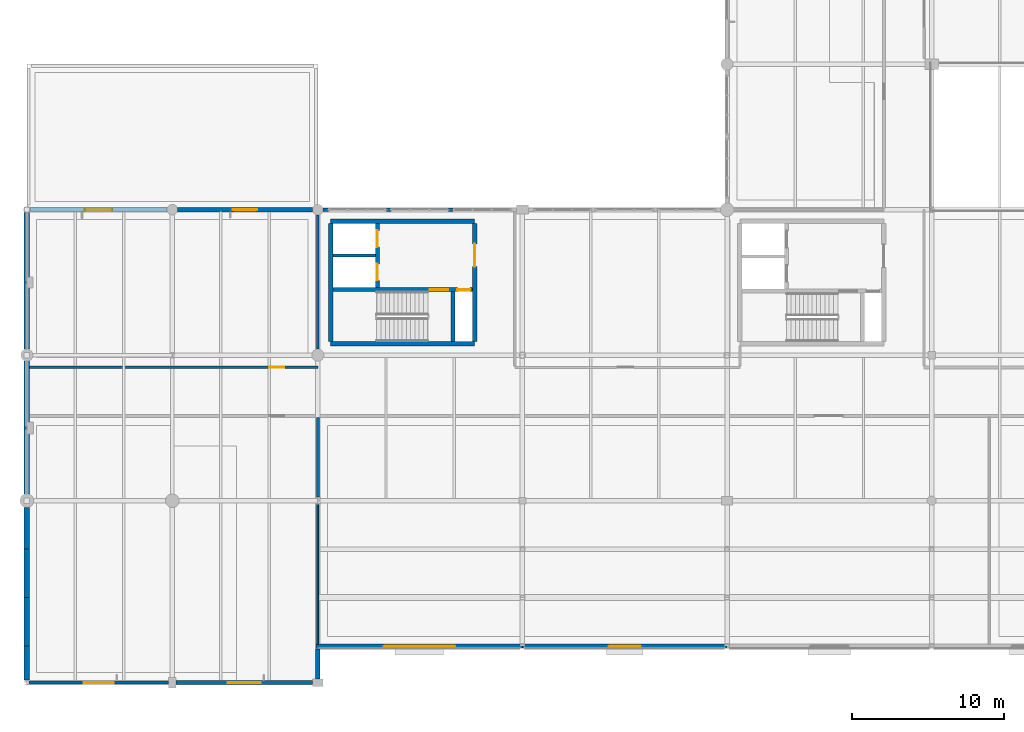
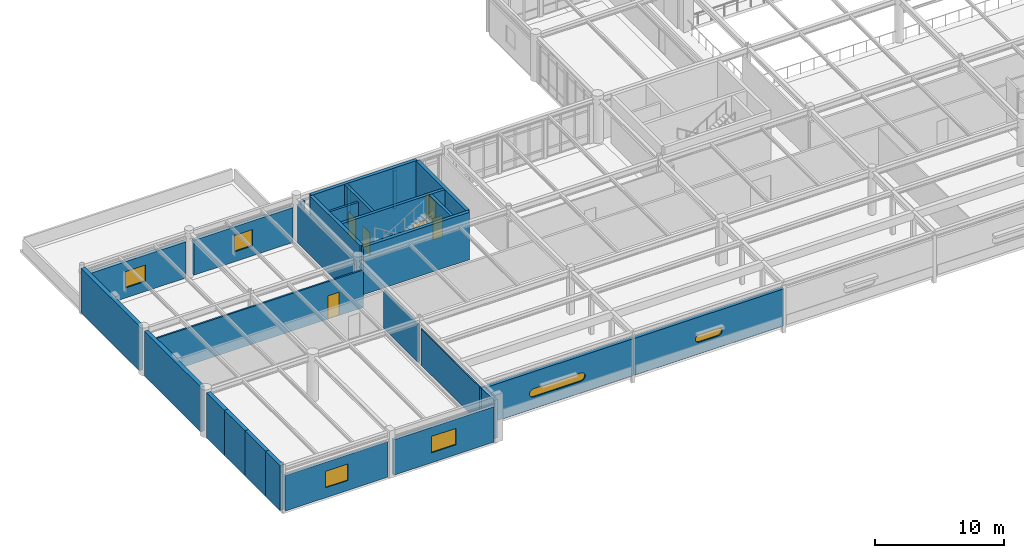
# One storey, part 46 of 61: 28 walls, 6 doors, 6 windows, 12 openings.
"""IFC4 building model written with IfcOpenShell, lengths in metres."""

from ifc_helpers import new_model, si_unit, direction, frame, frame_2d, origin, place, context, subcontext, project, spatial, polyline, rectangle, outline, extrude, material, layer, layer_set, type_object, element, fill, save


model = new_model("IFC4")

# Units and contexts
model_context = context("Model", 3, precision=1e-05, world=origin(), true_north=direction((0.0, 1.0)))
body_context = subcontext(model_context, "Body", "Model", "MODEL_VIEW")
ifc_project = project(units=[si_unit("LENGTHUNIT", "METRE"), si_unit("AREAUNIT", "SQUARE_METRE"), si_unit("VOLUMEUNIT", "CUBIC_METRE"), si_unit("PLANEANGLEUNIT", "RADIAN"), si_unit("MASSUNIT", "GRAM", prefix="KILO")], contexts=[model_context])

# Site, building, storey
site_placement = place(None, origin())
site = spatial("IfcSite", under=ifc_project, at=site_placement, CompositionType="ELEMENT")
building_placement = place(site_placement, origin())
building = spatial("IfcBuilding", under=site, at=building_placement, Name="Fikremerkos Civic Library", CompositionType="ELEMENT")
storey_placement = place(building_placement, frame((0.0, 0.0, 14.39990234375)))
storey = spatial("IfcBuildingStorey", under=building, at=storey_placement, Name="L03", CompositionType="ELEMENT", Elevation=14.39990234375)

# Walls
ifc_material_1 = material(Name="Concrete C40/50", Category="concrete")
ifc_layer_1 = layer(ifc_material_1, 0.300048828125, Name="Concrete C40/50")
ifc_layer_set_1 = layer_set([ifc_layer_1], Name="Concrete C40/50")
wall_type_1 = type_object("IfcWallType", Name="Core shear wall CSW-01 300", PredefinedType="SHEAR", material=ifc_layer_set_1)
for number, where, z_axis, x_axis, name in (
    (1, (29.550048828125, 22.35009765625, 0.0), (0.0, 0.0, 1.0), (-1.0, 0.0, 0.0), "Core K1 south shear wall L03"),
    (2, (20.050048828125, 30.449951171875, 0.0), (0.0, 0.0, 1.0), (1.0, 0.0, 0.0), "Core K1 north shear wall L03"),
):
    element("IfcWall", number, at=place(storey_placement, frame(where, z_axis=z_axis, x_axis=x_axis)), inside=storey, type_object=wall_type_1, Name=name, PredefinedType="SHEAR", context=body_context, shape_type="SweptSolid", body=[
        extrude(rectangle(XDim=9.5, YDim=0.300048828125, at=frame_2d((4.75, 0.0))), origin(), (0.0, 0.0, 1.0), 4.5),
    ])
wall_1_placement = place(storey_placement, frame((20.050048828125, 22.501953125, 0.0), z_axis=(0.0, 0.0, 1.0), x_axis=(0.0, 1.0, 0.0)))
element("IfcWall", 3, at=wall_1_placement, inside=storey, type_object=wall_type_1, Name="Core K1 west shear wall L03", PredefinedType="SHEAR", context=body_context, shape_type="SweptSolid", body=[
    extrude(rectangle(XDim=7.796142578125, YDim=0.300048828125, at=frame_2d((3.89794921875, 0.0))), origin(), (0.0, 0.0, 1.0), 4.5),
])

# Wall, opening, door
wall_2_placement = place(storey_placement, frame((29.550048828125, 30.298095703125, 0.0), z_axis=(0.0, 0.0, 1.0), x_axis=(0.0, -1.0, 0.0)))
wall_2 = element("IfcWall", 4, at=wall_2_placement, inside=storey, type_object=wall_type_1, Name="Core K1 east shear wall L03", PredefinedType="SHEAR", context=body_context, shape_type="SweptSolid", body=[
    extrude(rectangle(XDim=7.796142578125, YDim=0.300048828125, at=frame_2d((3.89794921875, 0.0))), origin(), (0.0, 0.0, 1.0), 4.5),
])
opening_1_placement = place(wall_2_placement, frame((1.347900390625, 0.0, 0.0)))
opening_1 = element("IfcOpeningElement", 5, at=opening_1_placement, cuts=wall_2, Name="Opening D044", PredefinedType="OPENING", context=body_context, shape_type="SweptSolid", body=[
    extrude(rectangle(XDim=1.5, YDim=2.25, at=frame_2d((0.75, 1.125))), frame((0.0, 0.159912109375, 0.0), z_axis=(0.0, -1.0, 0.0), x_axis=(1.0, 0.0, 0.0)), (0.0, 0.0, 1.0), 0.320068359375),
])
ifc_material_2 = material(Name="Hardwood timber and acoustic glass", Category="wood")
door_type_1 = type_object("IfcDoorType", Name="Pedestrian door DT-05 1500x2250", OperationType="NOTDEFINED", PredefinedType="DOOR", material=ifc_material_2)
door_1_placement = place(opening_1_placement, origin())
door_1 = element("IfcDoor", 6, at=door_1_placement, inside=storey, type_object=door_type_1, Name="Core K1 lobby fire door D044 L03", OperationType="SINGLE_SWING_LEFT", OverallHeight=2.25, OverallWidth=1.5, PredefinedType="DOOR", context=body_context, shape_type="SweptSolid", body=[
    extrude(rectangle(XDim=1.5, YDim=2.25, at=frame_2d((0.75, 1.125))), frame((0.0, 0.032470703125, 0.0), z_axis=(0.0, -1.0, 0.0), x_axis=(1.0, 0.0, 0.0)), (0.0, 0.0, 1.0), 0.06494140625),
])
fill(opening_1, door_1)

# Wall, openings, doors
ifc_layer_2 = layer(ifc_material_1, 0.260009765625, Name="Concrete C40/50")
ifc_layer_set_2 = layer_set([ifc_layer_2], Name="Concrete C40/50")
wall_type_2 = type_object("IfcWallType", Name="Core shear wall CSW-02 260", PredefinedType="SHEAR", material=ifc_layer_set_2)
wall_3_placement = place(storey_placement, frame((20.201904296875, 25.929931640625, 0.0), z_axis=(0.0, 0.0, 1.0), x_axis=(1.0, 0.0, 0.0)))
wall_3 = element("IfcWall", 7, at=wall_3_placement, inside=storey, type_object=wall_type_2, Name="Core K1 stair compartment wall L03", PredefinedType="SHEAR", context=body_context, shape_type="SweptSolid", body=[
    extrude(rectangle(XDim=9.196044921875, YDim=0.260009765625, at=frame_2d((4.59814453125, 0.0))), origin(), (0.0, 0.0, 1.0), 4.5),
])
opening_2_placement = place(wall_3_placement, frame((6.39794921875, 0.0, 0.0)))
opening_2 = element("IfcOpeningElement", 8, at=opening_2_placement, cuts=wall_3, Name="Opening D045", PredefinedType="OPENING", context=body_context, shape_type="SweptSolid", body=[
    extrude(rectangle(XDim=1.199951171875, YDim=2.199951171875, at=frame_2d((0.60009765625, 1.10009765625))), frame((0.0, 0.139892578125, 0.0), z_axis=(0.0, -1.0, 0.0), x_axis=(1.0, 0.0, 0.0)), (0.0, 0.0, 1.0), 0.280029296875),
])
opening_3_placement = place(wall_3_placement, frame((8.202880859375, 0.0, 0.0)))
opening_3 = element("IfcOpeningElement", 9, at=opening_3_placement, cuts=wall_3, Name="Opening D046", PredefinedType="OPENING", context=body_context, shape_type="SweptSolid", body=[
    extrude(rectangle(XDim=0.85009765625, YDim=2.050048828125, at=frame_2d((0.425048828125, 1.02490234375))), frame((0.0, 0.139892578125, 0.0), z_axis=(0.0, -1.0, 0.0), x_axis=(1.0, 0.0, 0.0)), (0.0, 0.0, 1.0), 0.280029296875),
])
door_type_2 = type_object("IfcDoorType", Name="Pedestrian door DT-06 1200x2200", OperationType="NOTDEFINED", PredefinedType="DOOR", material=ifc_material_2)
door_2_placement = place(opening_2_placement, origin())
door_2 = element("IfcDoor", 10, at=door_2_placement, inside=storey, type_object=door_type_2, Name="Core K1 stair fire door D045 L03", OperationType="SINGLE_SWING_LEFT", OverallHeight=2.199951171875, OverallWidth=1.199951171875, PredefinedType="DOOR", context=body_context, shape_type="SweptSolid", body=[
    extrude(rectangle(XDim=1.199951171875, YDim=2.199951171875, at=frame_2d((0.60009765625, 1.10009765625))), frame((0.0, 0.032470703125, 0.0), z_axis=(0.0, -1.0, 0.0), x_axis=(1.0, 0.0, 0.0)), (0.0, 0.0, 1.0), 0.06494140625),
])
fill(opening_2, door_2)
door_type_3 = type_object("IfcDoorType", Name="Pedestrian door DT-08 850x2050", OperationType="NOTDEFINED", PredefinedType="DOOR", material=ifc_material_2)
door_3_placement = place(opening_3_placement, origin())
door_3 = element("IfcDoor", 11, at=door_3_placement, inside=storey, type_object=door_type_3, Name="Core K1 riser access fire door D046 L03", OperationType="SINGLE_SWING_LEFT", OverallHeight=2.050048828125, OverallWidth=0.85009765625, PredefinedType="DOOR", context=body_context, shape_type="SweptSolid", body=[
    extrude(rectangle(XDim=0.85009765625, YDim=2.050048828125, at=frame_2d((0.425048828125, 1.02490234375))), frame((0.0, 0.032470703125, 0.0), z_axis=(0.0, -1.0, 0.0), x_axis=(1.0, 0.0, 0.0)), (0.0, 0.0, 1.0), 0.06494140625),
])
fill(opening_3, door_3)

# Wall
wall_4_placement = place(storey_placement, frame((28.1298828125, 22.501953125, 0.0), z_axis=(0.0, 0.0, 1.0), x_axis=(0.0, 1.0, 0.0)))
element("IfcWall", 12, at=wall_4_placement, inside=storey, type_object=wall_type_2, Name="Core K1 stair-riser shear wall L03", PredefinedType="SHEAR", context=body_context, shape_type="SweptSolid", body=[
    extrude(rectangle(XDim=3.296142578125, YDim=0.260009765625, at=frame_2d((1.64794921875, 0.0))), origin(), (0.0, 0.0, 1.0), 4.5),
])

# Wall, openings, doors
wall_5_placement = place(storey_placement, frame((23.1298828125, 26.06201171875, 0.0), z_axis=(0.0, 0.0, 1.0), x_axis=(0.0, 1.0, 0.0)))
wall_5 = element("IfcWall", 13, at=wall_5_placement, inside=storey, type_object=wall_type_2, Name="Core K1 lift shaft front wall L03", PredefinedType="SHEAR", context=body_context, shape_type="SweptSolid", body=[
    extrude(rectangle(XDim=4.236083984375, YDim=0.260009765625, at=frame_2d((2.1181640625, 0.0))), origin(), (0.0, 0.0, 1.0), 4.5),
])
opening_4_placement = place(wall_5_placement, frame((0.468017578125, 0.0, 0.0)))
opening_4 = element("IfcOpeningElement", 14, at=opening_4_placement, cuts=wall_5, Name="Opening LD11", PredefinedType="OPENING", context=body_context, shape_type="SweptSolid", body=[
    extrude(rectangle(XDim=1.10009765625, YDim=2.14990234375, at=frame_2d((0.550048828125, 1.074951171875))), frame((0.0, 0.139892578125, 0.0), z_axis=(0.0, -1.0, 0.0), x_axis=(1.0, 0.0, 0.0)), (0.0, 0.0, 1.0), 0.280029296875),
])
opening_5_placement = place(wall_5_placement, frame((2.66796875, 0.0, 0.0)))
opening_5 = element("IfcOpeningElement", 15, at=opening_5_placement, cuts=wall_5, Name="Opening LD12", PredefinedType="OPENING", context=body_context, shape_type="SweptSolid", body=[
    extrude(rectangle(XDim=1.10009765625, YDim=2.14990234375, at=frame_2d((0.550048828125, 1.074951171875))), frame((0.0, 0.139892578125, 0.0), z_axis=(0.0, -1.0, 0.0), x_axis=(1.0, 0.0, 0.0)), (0.0, 0.0, 1.0), 0.280029296875),
])
ifc_material_3 = material(Name="Brushed stainless steel", Category="steel")
door_type_4 = type_object("IfcDoorType", Name="Lift landing door LDT-01 1100x2150", OperationType="NOTDEFINED", PredefinedType="DOOR", material=ifc_material_3)
door_4_placement = place(opening_4_placement, origin())
door_4 = element("IfcDoor", 16, at=door_4_placement, inside=storey, type_object=door_type_4, Name="Lift LF01 sliding landing door LD11 L03", OperationType="SLIDING_TO_LEFT", OverallHeight=2.14990234375, OverallWidth=1.10009765625, PredefinedType="DOOR", context=body_context, shape_type="SweptSolid", body=[
    extrude(rectangle(XDim=1.10009765625, YDim=2.14990234375, at=frame_2d((0.550048828125, 1.074951171875))), frame((0.0, 0.032470703125, 0.0), z_axis=(0.0, -1.0, 0.0), x_axis=(1.0, 0.0, 0.0)), (0.0, 0.0, 1.0), 0.06494140625),
])
fill(opening_4, door_4)
door_5_placement = place(opening_5_placement, origin())
door_5 = element("IfcDoor", 17, at=door_5_placement, inside=storey, type_object=door_type_4, Name="Lift LF02 sliding landing door LD12 L03", OperationType="SLIDING_TO_LEFT", OverallHeight=2.14990234375, OverallWidth=1.10009765625, PredefinedType="DOOR", context=body_context, shape_type="SweptSolid", body=[
    extrude(rectangle(XDim=1.10009765625, YDim=2.14990234375, at=frame_2d((0.550048828125, 1.074951171875))), frame((0.0, 0.032470703125, 0.0), z_axis=(0.0, -1.0, 0.0), x_axis=(1.0, 0.0, 0.0)), (0.0, 0.0, 1.0), 0.06494140625),
])
fill(opening_5, door_5)

# Walls
ifc_layer_3 = layer(ifc_material_1, 0.35009765625, Name="Concrete C40/50")
ifc_layer_set_3 = layer_set([ifc_layer_3], Name="Concrete C40/50")
wall_type_3 = type_object("IfcWallType", Name="Exterior solid wall ESW-01 350", PredefinedType="SOLIDWALL", material=ifc_layer_set_3)
wall_6_placement = place(storey_placement, frame((0.0, 0.157958984375, 0.0), z_axis=(0.0, 0.0, 1.0), x_axis=(0.0, 1.0, 0.0)))
element("IfcWall", 18, at=wall_6_placement, inside=storey, type_object=wall_type_3, Name="Party boundary wall ESW-01 L03 #546", PredefinedType="SOLIDWALL", context=body_context, shape_type="SweptSolid", body=[
    extrude(rectangle(XDim=2.239990234375, YDim=0.35009765625, at=frame_2d((1.1201171875, 0.0))), origin(), (0.0, 0.0, 1.0), 4.260009765625),
])
wall_7_placement = place(storey_placement, frame((0.0, 2.402099609375, 0.0), z_axis=(0.0, 0.0, 1.0), x_axis=(0.0, 1.0, 0.0)))
element("IfcWall", 19, at=wall_7_placement, inside=storey, type_object=wall_type_3, Name="Party boundary wall ESW-01 L03 #547", PredefinedType="SOLIDWALL", context=body_context, shape_type="SweptSolid", body=[
    extrude(rectangle(XDim=3.19580078125, YDim=0.35009765625, at=frame_2d((1.597900390625, 0.0))), origin(), (0.0, 0.0, 1.0), 4.260009765625),
])
wall_8_placement = place(storey_placement, frame((0.0, 5.60205078125, 0.0), z_axis=(0.0, 0.0, 1.0), x_axis=(0.0, 1.0, 0.0)))
element("IfcWall", 20, at=wall_8_placement, inside=storey, type_object=wall_type_3, Name="Party boundary wall ESW-01 L03 #548", PredefinedType="SOLIDWALL", context=body_context, shape_type="SweptSolid", body=[
    extrude(rectangle(XDim=3.196044921875, YDim=0.35009765625, at=frame_2d((1.59814453125, 0.0))), origin(), (0.0, 0.0, 1.0), 4.260009765625),
])
wall_9_placement = place(storey_placement, frame((0.0, 8.802001953125, 0.0), z_axis=(0.0, 0.0, 1.0), x_axis=(0.0, 1.0, 0.0)))
element("IfcWall", 21, at=wall_9_placement, inside=storey, type_object=wall_type_3, Name="Party boundary wall ESW-01 L03 #549", PredefinedType="SOLIDWALL", context=body_context, shape_type="SweptSolid", body=[
    extrude(rectangle(XDim=2.75, YDim=0.35009765625, at=frame_2d((1.375, 0.0))), origin(), (0.0, 0.0, 1.0), 4.260009765625),
])
wall_10_placement = place(storey_placement, frame((0.0, 12.447998046875, 0.0), z_axis=(0.0, 0.0, 1.0), x_axis=(0.0, 1.0, 0.0)))
element("IfcWall", 22, at=wall_10_placement, inside=storey, type_object=wall_type_3, Name="Party boundary wall ESW-01 L03 #550", PredefinedType="SOLIDWALL", context=body_context, shape_type="SweptSolid", body=[
    extrude(rectangle(XDim=8.75390625, YDim=0.35009765625, at=frame_2d((4.376953125, 0.0))), origin(), (0.0, 0.0, 1.0), 4.239990234375),
])
wall_11_placement = place(storey_placement, frame((0.0, 21.998046875, 0.0), z_axis=(0.0, 0.0, 1.0), x_axis=(0.0, 1.0, 0.0)))
element("IfcWall", 23, at=wall_11_placement, inside=storey, type_object=wall_type_3, Name="Party boundary wall ESW-01 L03 #551", PredefinedType="SOLIDWALL", context=body_context, shape_type="SweptSolid", body=[
    extrude(rectangle(XDim=9.000732421875, YDim=0.35009765625, at=frame_2d((4.50048828125, 0.0))), origin(), (0.0, 0.0, 1.0), 4.239990234375),
])

# Wall, opening, window
ifc_material_4 = material(Name="Precast concrete C40/50", Category="concrete")
ifc_layer_4 = layer(ifc_material_4, 0.300048828125, Name="Precast concrete C40/50")
ifc_layer_set_4 = layer_set([ifc_layer_4], Name="Precast concrete C40/50")
wall_type_4 = type_object("IfcWallType", Name="Exterior solid wall ESW-03 300", PredefinedType="SOLIDWALL", material=ifc_layer_set_4)
wall_12_placement = place(storey_placement, frame((0.201171875, 31.199951171875, 0.0), z_axis=(0.0, 0.0, 1.0), x_axis=(1.0, 0.0, 0.0)))
wall_12 = element("IfcWall", 24, at=wall_12_placement, inside=storey, type_object=wall_type_4, Name="Exterior solid wall ESW-03 L03 #552", PredefinedType="SOLIDWALL", context=body_context, shape_type="SweptSolid", body=[
    extrude(rectangle(XDim=9.05078125, YDim=0.300048828125, at=frame_2d((4.525390625, 0.0))), origin(), (0.0, 0.0, 1.0), 3.440185546875),
])
opening_6_placement = place(wall_12_placement, frame((3.62548828125, 0.0, 0.949951171875)))
opening_6 = element("IfcOpeningElement", 25, at=opening_6_placement, cuts=wall_12, Name="Opening CWND-04", PredefinedType="OPENING", context=body_context, shape_type="SweptSolid", body=[
    extrude(rectangle(XDim=1.800048828125, YDim=1.550048828125, at=frame_2d((0.89990234375, 0.77490234375))), frame((0.0, 0.159912109375, 0.0), z_axis=(0.0, -1.0, 0.0), x_axis=(1.0, 0.0, 0.0)), (0.0, 0.0, 1.0), 0.320068359375),
])
ifc_material_5 = material(Name="Solar control double glazing", Category="glass")
window_type_1 = type_object("IfcWindowType", Name="Courtyard window CWND-04 1800x1550", PartitioningType="SINGLE_PANEL", PredefinedType="WINDOW", material=ifc_material_5)
window_1_placement = place(opening_6_placement, origin())
window_1 = element("IfcWindow", 26, at=window_1_placement, inside=storey, type_object=window_type_1, Name="Courtyard window CWND-04 L03 #36", OverallHeight=1.550048828125, OverallWidth=1.800048828125, PartitioningType="SINGLE_PANEL", PredefinedType="WINDOW", context=body_context, shape_type="SweptSolid", body=[
    extrude(rectangle(XDim=1.800048828125, YDim=1.550048828125, at=frame_2d((0.89990234375, 0.77490234375))), frame((0.0, 0.032470703125, 0.0), z_axis=(0.0, -1.0, 0.0), x_axis=(1.0, 0.0, 0.0)), (0.0, 0.0, 1.0), 0.06494140625),
])
fill(opening_6, window_1)

# Wall
wall_13_placement = place(storey_placement, frame((19.199951171875, 2.219970703125, 0.0), z_axis=(0.0, 0.0, 1.0), x_axis=(0.0, -1.0, 0.0)))
element("IfcWall", 27, at=wall_13_placement, inside=storey, type_object=wall_type_4, Name="Exterior solid wall ESW-03 L03 #602", PredefinedType="SOLIDWALL", context=body_context, shape_type="SweptSolid", body=[
    extrude(rectangle(XDim=1.971923828125, YDim=0.300048828125, at=frame_2d((0.98583984375, 0.0))), origin(), (0.0, 0.0, 1.0), 3.650146484375),
])

# Wall, opening, window
ifc_layer_5 = layer(ifc_material_4, 0.280029296875, Name="Precast concrete C40/50")
ifc_layer_set_5 = layer_set([ifc_layer_5], Name="Precast concrete C40/50")
wall_type_5 = type_object("IfcWallType", Name="Exterior solid wall ESW-04 280", PredefinedType="SOLIDWALL", material=ifc_layer_set_5)
wall_14_placement = place(storey_placement, frame((9.947998046875, 31.199951171875, 0.0), z_axis=(0.0, 0.0, 1.0), x_axis=(1.0, 0.0, 0.0)))
wall_14 = element("IfcWall", 28, at=wall_14_placement, inside=storey, type_object=wall_type_5, Name="Exterior solid wall ESW-04 L03 #553", PredefinedType="SOLIDWALL", context=body_context, shape_type="SweptSolid", body=[
    extrude(rectangle(XDim=8.904052734375, YDim=0.280029296875, at=frame_2d((4.4521484375, 0.0))), origin(), (0.0, 0.0, 1.0), 3.31005859375),
])
opening_7_placement = place(wall_14_placement, frame((3.652099609375, 0.0, 0.949951171875)))
opening_7 = element("IfcOpeningElement", 29, at=opening_7_placement, cuts=wall_14, Name="Opening CWND-05", PredefinedType="OPENING", context=body_context, shape_type="SweptSolid", body=[
    extrude(rectangle(XDim=1.60009765625, YDim=1.550048828125, at=frame_2d((0.800048828125, 0.77490234375))), frame((0.0, 0.14990234375, 0.0), z_axis=(0.0, -1.0, 0.0), x_axis=(1.0, 0.0, 0.0)), (0.0, 0.0, 1.0), 0.300048828125),
])
window_type_2 = type_object("IfcWindowType", Name="Courtyard window CWND-05 1600x1550", PartitioningType="SINGLE_PANEL", PredefinedType="WINDOW", material=ifc_material_5)
window_2_placement = place(opening_7_placement, origin())
window_2 = element("IfcWindow", 30, at=window_2_placement, inside=storey, type_object=window_type_2, Name="Courtyard window CWND-05 L03 #37", OverallHeight=1.550048828125, OverallWidth=1.60009765625, PartitioningType="SINGLE_PANEL", PredefinedType="WINDOW", context=body_context, shape_type="SweptSolid", body=[
    extrude(rectangle(XDim=1.60009765625, YDim=1.550048828125, at=frame_2d((0.800048828125, 0.77490234375))), frame((0.0, 0.032470703125, 0.0), z_axis=(0.0, -1.0, 0.0), x_axis=(1.0, 0.0, 0.0)), (0.0, 0.0, 1.0), 0.06494140625),
])
fill(opening_7, window_2)

wall_15_placement = place(storey_placement, frame((46.197998046875, 2.39990234375, 0.0), z_axis=(0.0, 0.0, 1.0), x_axis=(-1.0, 0.0, 0.0)))
wall_15 = element("IfcWall", 31, at=wall_15_placement, inside=storey, type_object=wall_type_5, Name="Cantilever concrete band wall ESW-04 L03 #600", PredefinedType="SOLIDWALL", context=body_context, shape_type="SweptSolid", body=[
    extrude(rectangle(XDim=13.49609375, YDim=0.280029296875, at=frame_2d((6.748046875, 0.0))), origin(), (0.0, 0.0, 1.0), 3.5),
])
opening_8_placement = place(wall_15_placement, frame((5.548095703125, 0.0, 1.10009765625)))
opening_8 = element("IfcOpeningElement", 32, at=opening_8_placement, cuts=wall_15, Name="Opening SW-08", PredefinedType="OPENING", context=body_context, shape_type="SweptSolid", body=[
    extrude(outline(polyline([(0.375, 0.75), (0.246826171875, 0.727294921875), (0.134033203125, 0.662353515625), (0.05029296875, 0.5625), (0.005615234375, 0.440185546875), (0.005615234375, 0.309814453125), (0.05029296875, 0.1875), (0.134033203125, 0.087646484375), (0.246826171875, 0.022705078125), (0.375, 0.0), (2.02490234375, 0.0), (2.153076171875, 0.022705078125), (2.265869140625, 0.087646484375), (2.349609375, 0.1875), (2.394287109375, 0.309814453125), (2.394287109375, 0.440185546875), (2.349609375, 0.5625), (2.265869140625, 0.662353515625), (2.153076171875, 0.727294921875), (2.02490234375, 0.75), (0.375, 0.75)])), frame((0.0, 0.14990234375, 0.0), z_axis=(0.0, -1.0, 0.0), x_axis=(1.0, 0.0, 0.0)), (0.0, 0.0, 1.0), 0.300048828125),
])
window_type_3 = type_object("IfcWindowType", Name="Facade slot window SW-08 2400x750", PartitioningType="SINGLE_PANEL", PredefinedType="WINDOW", material=ifc_material_5)
window_3_placement = place(opening_8_placement, origin())
window_3 = element("IfcWindow", 33, at=window_3_placement, inside=storey, type_object=window_type_3, Name="Rounded-end facade slot window SW-08 L03 #20", OverallHeight=0.75, OverallWidth=2.39990234375, PartitioningType="SINGLE_PANEL", PredefinedType="WINDOW", context=body_context, shape_type="SweptSolid", body=[
    extrude(outline(polyline([(0.375, 0.75), (0.246826171875, 0.727294921875), (0.134033203125, 0.662353515625), (0.05029296875, 0.5625), (0.005615234375, 0.440185546875), (0.005615234375, 0.309814453125), (0.05029296875, 0.1875), (0.134033203125, 0.087646484375), (0.246826171875, 0.022705078125), (0.375, 0.0), (2.02490234375, 0.0), (2.153076171875, 0.022705078125), (2.265869140625, 0.087646484375), (2.349609375, 0.1875), (2.394287109375, 0.309814453125), (2.394287109375, 0.440185546875), (2.349609375, 0.5625), (2.265869140625, 0.662353515625), (2.153076171875, 0.727294921875), (2.02490234375, 0.75), (0.375, 0.75)])), frame((0.0, 0.032470703125, 0.0), z_axis=(0.0, -1.0, 0.0), x_axis=(1.0, 0.0, 0.0)), (0.0, 0.0, 1.0), 0.06494140625),
])
fill(opening_8, window_3)

wall_16_placement = place(storey_placement, frame((32.697998046875, 2.39990234375, 0.0), z_axis=(0.0, 0.0, 1.0), x_axis=(-1.0, 0.0, 0.0)))
wall_16 = element("IfcWall", 34, at=wall_16_placement, inside=storey, type_object=wall_type_5, Name="Cantilever concrete band wall ESW-04 L03 #601", PredefinedType="SOLIDWALL", context=body_context, shape_type="SweptSolid", body=[
    extrude(rectangle(XDim=13.60791015625, YDim=0.280029296875, at=frame_2d((6.803955078125, 0.0))), origin(), (0.0, 0.0, 1.0), 3.5),
])
opening_9_placement = place(wall_16_placement, frame((4.303955078125, 0.0, 1.10009765625)))
opening_9 = element("IfcOpeningElement", 35, at=opening_9_placement, cuts=wall_16, Name="Opening SW-09", PredefinedType="OPENING", context=body_context, shape_type="SweptSolid", body=[
    extrude(outline(polyline([(0.39990234375, 0.800048828125), (0.26318359375, 0.77587890625), (0.142822265625, 0.70654296875), (0.0537109375, 0.60009765625), (0.006103515625, 0.469482421875), (0.006103515625, 0.33056640625), (0.0537109375, 0.199951171875), (0.142822265625, 0.093505859375), (0.26318359375, 0.024169921875), (0.39990234375, 0.0), (4.60009765625, 0.0), (4.73681640625, 0.024169921875), (4.857177734375, 0.093505859375), (4.9462890625, 0.199951171875), (4.993896484375, 0.33056640625), (4.993896484375, 0.469482421875), (4.9462890625, 0.60009765625), (4.857177734375, 0.70654296875), (4.73681640625, 0.77587890625), (4.60009765625, 0.800048828125), (0.39990234375, 0.800048828125)])), frame((0.0, 0.14990234375, 0.0), z_axis=(0.0, -1.0, 0.0), x_axis=(1.0, 0.0, 0.0)), (0.0, 0.0, 1.0), 0.300048828125),
])
window_type_4 = type_object("IfcWindowType", Name="Facade slot window SW-09 5000x800", PartitioningType="SINGLE_PANEL", PredefinedType="WINDOW", material=ifc_material_5)
window_4_placement = place(opening_9_placement, origin())
window_4 = element("IfcWindow", 36, at=window_4_placement, inside=storey, type_object=window_type_4, Name="Rounded-end facade slot window SW-09 L03 #21", OverallHeight=0.800048828125, OverallWidth=5.0, PartitioningType="SINGLE_PANEL", PredefinedType="WINDOW", context=body_context, shape_type="SweptSolid", body=[
    extrude(outline(polyline([(0.39990234375, 0.800048828125), (0.26318359375, 0.77587890625), (0.142822265625, 0.70654296875), (0.0537109375, 0.60009765625), (0.006103515625, 0.469482421875), (0.006103515625, 0.33056640625), (0.0537109375, 0.199951171875), (0.142822265625, 0.093505859375), (0.26318359375, 0.024169921875), (0.39990234375, 0.0), (4.60009765625, 0.0), (4.73681640625, 0.024169921875), (4.857177734375, 0.093505859375), (4.9462890625, 0.199951171875), (4.993896484375, 0.33056640625), (4.993896484375, 0.469482421875), (4.9462890625, 0.60009765625), (4.857177734375, 0.70654296875), (4.73681640625, 0.77587890625), (4.60009765625, 0.800048828125), (0.39990234375, 0.800048828125)])), frame((0.0, 0.032470703125, 0.0), z_axis=(0.0, -1.0, 0.0), x_axis=(1.0, 0.0, 0.0)), (0.0, 0.0, 1.0), 0.06494140625),
])
fill(opening_9, window_4)

ifc_layer_6 = layer(ifc_material_4, 0.25, Name="Precast concrete C40/50")
ifc_layer_set_6 = layer_set([ifc_layer_6], Name="Precast concrete C40/50")
wall_type_6 = type_object("IfcWallType", Name="Exterior solid wall ESW-05 250", PredefinedType="SOLIDWALL", material=ifc_layer_set_6)
wall_17_placement = place(storey_placement, frame((18.85205078125, 0.0, 0.0), z_axis=(0.0, 0.0, 1.0), x_axis=(-1.0, 0.0, 0.0)))
wall_17 = element("IfcWall", 37, at=wall_17_placement, inside=storey, type_object=wall_type_6, Name="Exterior solid wall ESW-05 L03 #544", PredefinedType="SOLIDWALL", context=body_context, shape_type="SweptSolid", body=[
    extrude(rectangle(XDim=9.004150390625, YDim=0.25, at=frame_2d((4.501953125, 0.0))), origin(), (0.0, 0.0, 1.0), 3.360107421875),
])
opening_10_placement = place(wall_17_placement, frame((3.402099609375, 0.0, 0.949951171875)))
opening_10 = element("IfcOpeningElement", 38, at=opening_10_placement, cuts=wall_17, Name="Opening CWND-02", PredefinedType="OPENING", context=body_context, shape_type="SweptSolid", body=[
    extrude(rectangle(XDim=2.199951171875, YDim=1.550048828125, at=frame_2d((1.10009765625, 0.77490234375))), frame((0.0, 0.135009765625, 0.0), z_axis=(0.0, -1.0, 0.0), x_axis=(1.0, 0.0, 0.0)), (0.0, 0.0, 1.0), 0.27001953125),
])
window_type_5 = type_object("IfcWindowType", Name="Courtyard window CWND-02 2200x1550", PartitioningType="SINGLE_PANEL", PredefinedType="WINDOW", material=ifc_material_5)
window_5_placement = place(opening_10_placement, origin())
window_5 = element("IfcWindow", 39, at=window_5_placement, inside=storey, type_object=window_type_5, Name="Courtyard window CWND-02 L03 #34", OverallHeight=1.550048828125, OverallWidth=2.199951171875, PartitioningType="SINGLE_PANEL", PredefinedType="WINDOW", context=body_context, shape_type="SweptSolid", body=[
    extrude(rectangle(XDim=2.199951171875, YDim=1.550048828125, at=frame_2d((1.10009765625, 0.77490234375))), frame((0.0, 0.032470703125, 0.0), z_axis=(0.0, -1.0, 0.0), x_axis=(1.0, 0.0, 0.0)), (0.0, 0.0, 1.0), 0.06494140625),
])
fill(opening_10, window_5)

# Walls
wall_18_placement = place(storey_placement, frame((19.548095703125, 31.199951171875, 0.0), z_axis=(0.0, 0.0, 1.0), x_axis=(1.0, 0.0, 0.0)))
element("IfcWall", 40, at=wall_18_placement, inside=storey, type_object=wall_type_6, Name="Exterior facade pier ESW-05 #554", PredefinedType="SOLIDWALL", context=body_context, shape_type="SweptSolid", body=[
    extrude(rectangle(XDim=0.349853515625, YDim=0.25, at=frame_2d((0.1748046875, 0.0))), origin(), (0.0, 0.0, 1.0), 3.60009765625),
])
for number, where, z_axis, x_axis, name in (
    (41, (23.716064453125, 31.199951171875, 0.0), (0.0, 0.0, 1.0), (1.0, 0.0, 0.0), "Exterior facade mullion pier ESW-05 #556"),
    (42, (27.833984375, 31.199951171875, 0.0), (0.0, 0.0, 1.0), (1.0, 0.0, 0.0), "Exterior facade mullion pier ESW-05 #557"),
):
    element("IfcWall", number, at=place(storey_placement, frame(where, z_axis=z_axis, x_axis=x_axis)), inside=storey, type_object=wall_type_6, Name=name, PredefinedType="SOLIDWALL", context=body_context, shape_type="SweptSolid", body=[
        extrude(rectangle(XDim=0.300048828125, YDim=0.25, at=frame_2d((0.14990234375, 0.0))), origin(), (0.0, 0.0, 1.0), 3.60009765625),
    ])

# Wall, opening, window
ifc_layer_7 = layer(ifc_material_4, 0.219970703125, Name="Precast concrete C40/50")
ifc_layer_set_7 = layer_set([ifc_layer_7], Name="Precast concrete C40/50")
wall_type_7 = type_object("IfcWallType", Name="Exterior solid wall ESW-06 220", PredefinedType="SOLIDWALL", material=ifc_layer_set_7)
wall_19_placement = place(storey_placement, frame((9.35205078125, 0.0, 0.0), z_axis=(0.0, 0.0, 1.0), x_axis=(-1.0, 0.0, 0.0)))
wall_19 = element("IfcWall", 43, at=wall_19_placement, inside=storey, type_object=wall_type_7, Name="Exterior solid wall ESW-06 L03 #545", PredefinedType="SOLIDWALL", context=body_context, shape_type="SweptSolid", body=[
    extrude(rectangle(XDim=9.2041015625, YDim=0.219970703125, at=frame_2d((4.60205078125, 0.0))), origin(), (0.0, 0.0, 1.0), 3.360107421875),
])
opening_11_placement = place(wall_19_placement, frame((3.60205078125, 0.0, 0.949951171875)))
opening_11 = element("IfcOpeningElement", 44, at=opening_11_placement, cuts=wall_19, Name="Opening CWND-03", PredefinedType="OPENING", context=body_context, shape_type="SweptSolid", body=[
    extrude(rectangle(XDim=2.0, YDim=1.550048828125, at=frame_2d((1.0, 0.77490234375))), frame((0.0, 0.119873046875, 0.0), z_axis=(0.0, -1.0, 0.0), x_axis=(1.0, 0.0, 0.0)), (0.0, 0.0, 1.0), 0.239990234375),
])
window_type_6 = type_object("IfcWindowType", Name="Courtyard window CWND-03 2000x1550", PartitioningType="SINGLE_PANEL", PredefinedType="WINDOW", material=ifc_material_5)
window_6_placement = place(opening_11_placement, origin())
window_6 = element("IfcWindow", 45, at=window_6_placement, inside=storey, type_object=window_type_6, Name="Courtyard window CWND-03 L03 #35", OverallHeight=1.550048828125, OverallWidth=2.0, PartitioningType="SINGLE_PANEL", PredefinedType="WINDOW", context=body_context, shape_type="SweptSolid", body=[
    extrude(rectangle(XDim=2.0, YDim=1.550048828125, at=frame_2d((1.0, 0.77490234375))), frame((0.0, 0.032470703125, 0.0), z_axis=(0.0, -1.0, 0.0), x_axis=(1.0, 0.0, 0.0)), (0.0, 0.0, 1.0), 0.06494140625),
])
fill(opening_11, window_6)

# Wall
ifc_material_6 = material(Name="Acoustic concrete blockwork", Category="masonry")
ifc_layer_8 = layer(ifc_material_6, 0.18994140625, Name="Acoustic concrete blockwork")
ifc_layer_set_8 = layer_set([ifc_layer_8], Name="Acoustic concrete blockwork")
wall_type_8 = type_object("IfcWallType", Name="Interior partition wall IPW-01 190", PredefinedType="PARTITIONING", material=ifc_layer_set_8)
wall_20_placement = place(storey_placement, frame((19.199951171875, 12.22802734375, 0.0), z_axis=(0.0, 0.0, 1.0), x_axis=(0.0, 1.0, 0.0)))
element("IfcWall", 46, at=wall_20_placement, inside=storey, type_object=wall_type_8, Name="Interior wall IPW-01 L03 #220", PredefinedType="PARTITIONING", context=body_context, shape_type="SweptSolid", body=[
    extrude(rectangle(XDim=5.26708984375, YDim=0.18994140625, at=frame_2d((2.633544921875, 0.0))), origin(), (0.0, 0.0, 1.0), 3.550048828125),
])

# Wall, opening, door
ifc_material_7 = material(Name="Acoustic gypsum stud partition")
ifc_layer_9 = layer(ifc_material_7, 0.14990234375, Name="Acoustic gypsum stud partition")
ifc_layer_set_9 = layer_set([ifc_layer_9], Name="Acoustic gypsum stud partition")
wall_type_9 = type_object("IfcWallType", Name="Interior partition wall IPW-02 150", PredefinedType="PARTITIONING", material=ifc_layer_set_9)
wall_21_placement = place(storey_placement, frame((0.177978515625, 20.800048828125, 0.0), z_axis=(0.0, 0.0, 1.0), x_axis=(1.0, 0.0, 0.0)))
wall_21 = element("IfcWall", 47, at=wall_21_placement, inside=storey, type_object=wall_type_9, Name="Interior wall IPW-02 L03 #213", PredefinedType="PARTITIONING", context=body_context, shape_type="SweptSolid", body=[
    extrude(rectangle(XDim=19.02197265625, YDim=0.14990234375, at=frame_2d((9.510986328125, 0.0))), origin(), (0.0, 0.0, 1.0), 3.550048828125),
])
opening_12_placement = place(wall_21_placement, frame((15.822021484375, 0.0, 0.0)))
opening_12 = element("IfcOpeningElement", 48, at=opening_12_placement, cuts=wall_21, Name="Opening D233", PredefinedType="OPENING", context=body_context, shape_type="SweptSolid", body=[
    extrude(rectangle(XDim=1.0, YDim=2.199951171875, at=frame_2d((0.5, 1.10009765625))), frame((0.0, 0.0849609375, 0.0), z_axis=(0.0, -1.0, 0.0), x_axis=(1.0, 0.0, 0.0)), (0.0, 0.0, 1.0), 0.169921875),
])
door_type_5 = type_object("IfcDoorType", Name="Pedestrian door DT-01 1000x2200", OperationType="NOTDEFINED", PredefinedType="DOOR", material=ifc_material_2)
door_6_placement = place(opening_12_placement, origin())
door_6 = element("IfcDoor", 49, at=door_6_placement, inside=storey, type_object=door_type_5, Name="Interior door D233 L03", OperationType="SINGLE_SWING_RIGHT", OverallHeight=2.199951171875, OverallWidth=1.0, PredefinedType="DOOR", context=body_context, shape_type="SweptSolid", body=[
    extrude(rectangle(XDim=1.0, YDim=2.199951171875, at=frame_2d((0.5, 1.10009765625))), frame((0.0, 0.032470703125, 0.0), z_axis=(0.0, -1.0, 0.0), x_axis=(1.0, 0.0, 0.0)), (0.0, 0.0, 1.0), 0.06494140625),
])
fill(opening_12, door_6)

# Walls
wall_22_placement = place(storey_placement, frame((19.199951171875, 22.0029296875, 0.0), z_axis=(0.0, 0.0, 1.0), x_axis=(0.0, 1.0, 0.0)))
element("IfcWall", 50, at=wall_22_placement, inside=storey, type_object=wall_type_9, Name="Interior wall IPW-02 L03 #221", PredefinedType="PARTITIONING", context=body_context, shape_type="SweptSolid", body=[
    extrude(rectangle(XDim=8.843994140625, YDim=0.14990234375, at=frame_2d((4.421875, 0.0))), origin(), (0.0, 0.0, 1.0), 3.60009765625),
])
ifc_material_8 = material(Name="Lightweight metal stud partition")
ifc_layer_10 = layer(ifc_material_8, 0.110107421875, Name="Lightweight metal stud partition")
ifc_layer_set_10 = layer_set([ifc_layer_10], Name="Lightweight metal stud partition")
wall_type_10 = type_object("IfcWallType", Name="Interior partition wall IPW-04 110", PredefinedType="PARTITIONING", material=ifc_layer_set_10)
wall_23_placement = place(storey_placement, frame((19.199951171875, 2.54296875, 0.0), z_axis=(0.0, 0.0, 1.0), x_axis=(0.0, 1.0, 0.0)))
element("IfcWall", 51, at=wall_23_placement, inside=storey, type_object=wall_type_10, Name="Interior wall IPW-04 L03 #219", PredefinedType="PARTITIONING", context=body_context, shape_type="SweptSolid", body=[
    extrude(rectangle(XDim=9.22900390625, YDim=0.110107421875, at=frame_2d((4.614501953125, 0.0))), origin(), (0.0, 0.0, 1.0), 3.43017578125),
])
ifc_material_9 = material(Name="Concrete C35/45", Category="concrete")
ifc_layer_11 = layer(ifc_material_9, 0.199951171875, Name="Concrete C35/45")
ifc_layer_set_11 = layer_set([ifc_layer_11], Name="Concrete C35/45")
wall_type_11 = type_object("IfcWallType", Name="Service duct wall SDW-01 200", PredefinedType="PLUMBINGWALL", material=ifc_layer_set_11)
wall_24_placement = place(storey_placement, frame((20.201904296875, 28.179931640625, 0.0), z_axis=(0.0, 0.0, 1.0), x_axis=(1.0, 0.0, 0.0)))
element("IfcWall", 52, at=wall_24_placement, inside=storey, type_object=wall_type_11, Name="Core K1 inter-lift shaft wall L03", PredefinedType="PLUMBINGWALL", context=body_context, shape_type="SweptSolid", body=[
    extrude(rectangle(XDim=2.796142578125, YDim=0.199951171875, at=frame_2d((1.39794921875, 0.0))), origin(), (0.0, 0.0, 1.0), 4.16015625),
])

save(model, "model.ifc")
